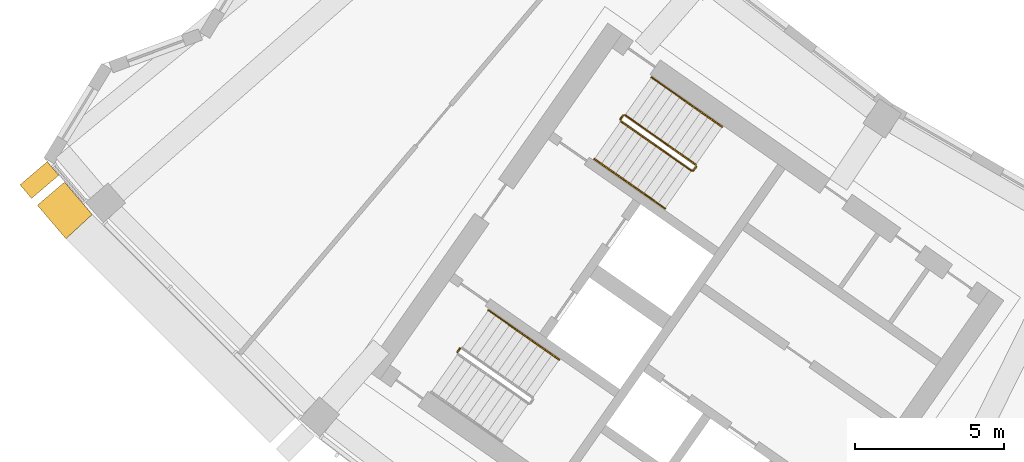
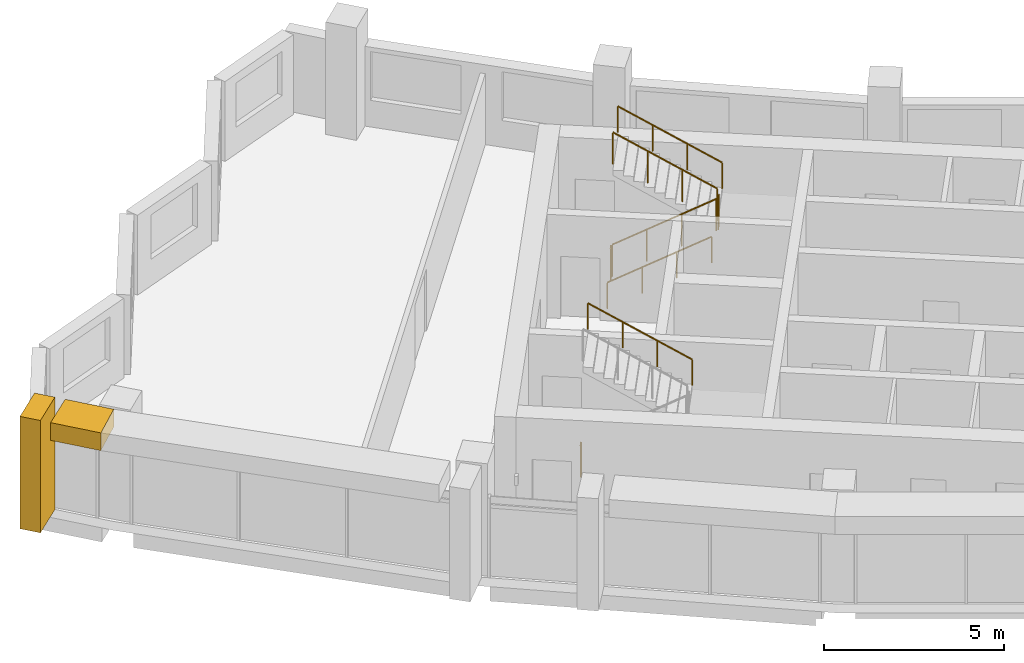
# One storey, part 24 of 28: 7 railings, 2 shading devices.
"""IFC4 building model written with IfcOpenShell, lengths in metres."""

import ifcopenshell
import ifcopenshell.guid

model = None  # the IFC model being written
_history = None  # IfcOwnerHistory: only IFC2X3 demands one
_inside = {}  # id of a spatial element -> (the spatial element, [elements in it])
_under = {}  # id of a project, library or spatial element -> (it, [spatial elements below it])
_declared = {}  # id of a project -> (the project, [libraries it declares])
_typed = {}  # id of a type object -> (the type object, [elements of that type])
_made_of = {}  # id of a material, layer set ... -> (it, [elements and type objects made of it])


def new_model(schema):
    """Start an empty IFC model of exactly this schema.

    Asked for "IFC4X3", IfcOpenShell would pick the latest addendum, in which some entities
    have other attributes; the version numbers below select the first issue.
    IFC2X3 requires an IfcOwnerHistory on every rooted entity: one is made here for all.
    """
    global model, _history
    if schema == "IFC4X3":
        model = ifcopenshell.file(schema_version=(4, 3, 0, 0))
    else:
        model = ifcopenshell.file(schema=schema)
    _inside.clear()
    _under.clear()
    _declared.clear()
    _typed.clear()
    _made_of.clear()
    _history = None
    if model.schema == "IFC2X3":
        org = make("IfcOrganization", Name="unknown")
        user = make(
            "IfcPersonAndOrganization",
            ThePerson=make("IfcPerson", FamilyName="unknown"),
            TheOrganization=org,
        )
        app = make(
            "IfcApplication",
            ApplicationDeveloper=org,
            Version="unknown",
            ApplicationFullName="unknown",
            ApplicationIdentifier="unknown",
        )
        _history = make(
            "IfcOwnerHistory",
            OwningUser=user,
            OwningApplication=app,
            ChangeAction="ADDED",
            CreationDate=0,
        )
    return model


def make(cls, **values):
    """One entity of the class cls with the attributes given. An attribute that is None is left unset."""
    return model.create_entity(
        cls, **{name: value for name, value in values.items() if value is not None}
    )


def rooted(cls, **values):
    """An entity with a GlobalId (a new one), such as an element, a storey or a relation."""
    return make(cls, GlobalId=ifcopenshell.guid.new(), OwnerHistory=_history, **values)


def si_unit(unit_type, name, prefix=None):
    """IfcSIUnit, for example si_unit("LENGTHUNIT", "METRE", prefix="MILLI")."""
    return make("IfcSIUnit", UnitType=unit_type, Prefix=prefix, Name=name)


def assignment(units):
    """IfcUnitAssignment: the units of a project."""
    return None if units is None else make("IfcUnitAssignment", Units=units)


def point(xyz):
    """IfcCartesianPoint."""
    return None if xyz is None else make("IfcCartesianPoint", Coordinates=xyz)


def direction(xyz):
    """IfcDirection."""
    return None if xyz is None else make("IfcDirection", DirectionRatios=xyz)


def frame(location, z_axis=None, x_axis=None):
    """IfcAxis2Placement3D, a coordinate frame: its origin and axes. An axis left out is left unset."""
    return make(
        "IfcAxis2Placement3D",
        Location=point(location),
        Axis=direction(z_axis),
        RefDirection=direction(x_axis),
    )


def frame_2d(location, x_axis=None):
    """IfcAxis2Placement2D, a coordinate frame in the plane: its origin and x axis."""
    return make(
        "IfcAxis2Placement2D", Location=point(location), RefDirection=direction(x_axis)
    )


def origin():
    """The frame at (0, 0, 0) with its axes left unset."""
    return frame((0.0, 0.0, 0.0))


def origin_2d():
    """The frame at (0, 0) in the plane with its x axis left unset."""
    return frame_2d((0.0, 0.0))


def place(relative_to, where):
    """IfcLocalPlacement: puts the frame where relative to a parent placement (None: the world)."""
    return make(
        "IfcLocalPlacement", PlacementRelTo=relative_to, RelativePlacement=where
    )


def context(
    kind, dimensions, precision=None, world=None, true_north=None, identifier=None
):
    """IfcGeometricRepresentationContext, for example the 3D "Model" context."""
    return make(
        "IfcGeometricRepresentationContext",
        ContextIdentifier=identifier,
        ContextType=kind,
        CoordinateSpaceDimension=dimensions,
        Precision=precision,
        WorldCoordinateSystem=world,
        TrueNorth=true_north,
    )


def subcontext(parent, identifier, kind, view, scale=None):
    """IfcGeometricRepresentationSubContext, for example "Body" below "Model"."""
    return make(
        "IfcGeometricRepresentationSubContext",
        ContextIdentifier=identifier,
        ContextType=kind,
        ParentContext=parent,
        TargetScale=scale,
        TargetView=view,
    )


def project(units=None, contexts=None):
    """IfcProject with its units and contexts."""
    return rooted(
        "IfcProject",
        Name="project",
        RepresentationContexts=contexts,
        UnitsInContext=assignment(units),
    )


def spatial(cls, under=None, at=None, **own):
    """A site, building, storey or space (cls), placed at a placement, below another one or the project."""
    s = rooted(cls, ObjectPlacement=at, **own)
    if under is not None:
        _under.setdefault(under.id(), (under, []))[1].append(s)
    return s


def polyline(points):
    """IfcPolyline through the points."""
    return make("IfcPolyline", Points=[point(p) for p in points])


def profile(cls, at=None, kind="AREA", **sizes):
    """A parametric profile (cls). Its sizes go by their IFC names, for example OverallWidth=200.0."""
    return make(cls, ProfileType=kind, Position=at, **sizes)


def circle(**sizes):
    """IfcCircleProfileDef."""
    return profile("IfcCircleProfileDef", **sizes)


def outline(outer, holes=None, kind="AREA"):
    """IfcArbitraryClosedProfileDef: a profile drawn as a closed curve; with holes, ...WithVoids."""
    if holes is None:
        return make("IfcArbitraryClosedProfileDef", ProfileType=kind, OuterCurve=outer)
    return make(
        "IfcArbitraryProfileDefWithVoids",
        ProfileType=kind,
        OuterCurve=outer,
        InnerCurves=holes,
    )


def extrude(swept, where, along, depth):
    """IfcExtrudedAreaSolid: the profile swept, set in the frame where, extruded along a direction by depth."""
    return make(
        "IfcExtrudedAreaSolid",
        SweptArea=swept,
        Position=where,
        ExtrudedDirection=direction(along),
        Depth=depth,
    )


def shape(context_of_items, identifier, shape_type, items):
    """IfcShapeRepresentation: the items that make up one representation, for example the "Body"."""
    return make(
        "IfcShapeRepresentation",
        ContextOfItems=context_of_items,
        RepresentationIdentifier=identifier,
        RepresentationType=shape_type,
        Items=items,
    )


def material(Name=None, Category=None):
    """IfcMaterial."""
    return make("IfcMaterial", Name=Name, Category=Category)


def made_of(thing, what):
    """Note that an element or type object is made of a material, layer set ...; save() writes the relation."""
    if what is not None:
        _made_of.setdefault(what.id(), (what, []))[1].append(thing)
    return thing


def type_object(cls, material=None, **own):
    """A type object (cls), such as IfcWallType, which elements share."""
    return made_of(rooted(cls, **own), material)


def element(
    cls,
    number,
    at=None,
    inside=None,
    cuts=None,
    type_object=None,
    material=None,
    context=None,
    identifier="Body",
    shape_type=None,
    held_by="IfcProductDefinitionShape",
    body=None,
    shapes=None,
    **own,
):
    """One element of the class cls, such as IfcWall. Its Tag is "e" and its number.

    at: its placement. inside: the storey or other place that contains it. cuts: it is an
    opening in that element (IfcRelVoidsElement). A single representation is given by context,
    identifier, shape_type and body (its items); several are given by shapes. held_by: the class
    of the entity that holds the representations. save() writes the other relations.
    """
    e = rooted(cls, Tag="e%d" % number, ObjectPlacement=at, **own)
    if body is not None:
        shapes = [shape(context, identifier, shape_type, body)]
    if shapes is not None:
        e.Representation = make(held_by, Representations=shapes)
    if inside is not None:
        _inside.setdefault(inside.id(), (inside, []))[1].append(e)
    if cuts is not None:
        rooted(
            "IfcRelVoidsElement", RelatingBuildingElement=cuts, RelatedOpeningElement=e
        )
    if type_object is not None:
        _typed.setdefault(type_object.id(), (type_object, []))[1].append(e)
    return made_of(e, material)


def aggregate(whole, parts):
    """IfcRelAggregates: a whole, such as a stair, and the parts it consists of."""
    return rooted("IfcRelAggregates", RelatingObject=whole, RelatedObjects=parts)


def save(model, path):
    """Write the relations noted so far, then the file.

    IfcRelAggregates (storeys below a building ...), IfcRelContainedInSpatialStructure (elements
    in a storey), IfcRelDefinesByType, IfcRelAssociatesMaterial and IfcRelDeclares: one each for
    every whole, place, type object, material and project.
    """
    for whole, parts in _under.values():
        aggregate(whole, parts)
    for where, things in _inside.values():
        rooted(
            "IfcRelContainedInSpatialStructure",
            RelatedElements=things,
            RelatingStructure=where,
        )
    for kind, things in _typed.values():
        rooted("IfcRelDefinesByType", RelatedObjects=things, RelatingType=kind)
    for what, things in _made_of.values():
        rooted("IfcRelAssociatesMaterial", RelatedObjects=things, RelatingMaterial=what)
    for by, libraries in _declared.values():
        rooted("IfcRelDeclares", RelatingContext=by, RelatedDefinitions=libraries)
    model.write(path)


model = new_model("IFC4")

# Units and contexts
model_context = context("Model", 3, precision=1e-05, world=origin(), true_north=direction((0.0, 1.0)))
body_context = subcontext(model_context, "Body", "Model", "MODEL_VIEW")
ifc_project = project(units=[si_unit("LENGTHUNIT", "METRE"), si_unit("AREAUNIT", "SQUARE_METRE"), si_unit("VOLUMEUNIT", "CUBIC_METRE"), si_unit("PLANEANGLEUNIT", "RADIAN"), si_unit("MASSUNIT", "GRAM", prefix="KILO")], contexts=[model_context])

# Site, building, storey
site_placement = place(None, origin())
site = spatial("IfcSite", under=ifc_project, at=site_placement, CompositionType="ELEMENT")
building_placement = place(site_placement, origin())
building = spatial("IfcBuilding", under=site, at=building_placement, Name="Qamariyya Broadcast Tower", CompositionType="ELEMENT")
storey_placement = place(building_placement, frame((0.0, 0.0, 277.10009765625)))
storey = spatial("IfcBuildingStorey", under=building, at=storey_placement, Name="L67", CompositionType="ELEMENT", Elevation=277.10009765625)

# Shading devices
ifc_material_1 = material(Name="Steel S355 powder coated deep red", Category="steel")
shading_device_type = type_object("IfcShadingDeviceType", Name="Deep red frame, powder coated steel box section", PredefinedType="USERDEFINED", material=ifc_material_1)
shading_device_1_placement = place(storey_placement, origin())
element("IfcShadingDevice", 1, at=shading_device_1_placement, inside=storey, type_object=shading_device_type, Name="e-frm-B5-F1-posta-L67", ObjectType="FRAME", PredefinedType="USERDEFINED", context=body_context, shape_type="SweptSolid", body=[
    extrude(outline(polyline([(-60.418212890625, -49.883544921875), (-61.33203125, -50.661376953125), (-60.943115234375, -51.1181640625), (-60.029296875, -50.340576171875), (-60.418212890625, -49.883544921875)])), origin(), (0.0, 0.0, 1.0), 3.7998046875),
])
shading_device_2_placement = place(storey_placement, frame((0.0, 0.0, 3.199951171875)))
element("IfcShadingDevice", 2, at=shading_device_2_placement, inside=storey, type_object=shading_device_type, Name="e-frm-B5-F1-top0", ObjectType="FRAME", PredefinedType="USERDEFINED", context=body_context, shape_type="SweptSolid", body=[
    extrude(outline(polyline([(-59.834716796875, -50.569091796875), (-60.748779296875, -51.3466796875), (-59.789306640625, -52.47412109375), (-58.90673828125, -51.65966796875), (-59.834716796875, -50.569091796875)])), origin(), (0.0, 0.0, 1.0), 0.599853515625),
])

# Railings
ifc_material_2 = material(Name="Painted steel", Category="steel")
railing_type_1 = type_object("IfcRailingType", Name="Stair guard", PredefinedType="GUARDRAIL", material=ifc_material_2)
railing_1_placement = place(storey_placement, frame((-41.146728515625, -48.52490234375, 0.172607421875)))
element("IfcRailing", 3, at=railing_1_placement, inside=storey, type_object=railing_type_1, Name="L67 ST-W2 stair guard 1", PredefinedType="GUARDRAIL", context=body_context, shape_type="SweptSolid", body=[
    extrude(circle(Radius=0.02392578125, at=origin_2d()), frame((0.0, 0.0, 1.076171875), z_axis=(0.703770094002, -0.492783725636, 0.511734163933), x_axis=(0.573575343427, 0.819152809562, 0.0)), (0.0, 0.0, 1.0), 3.37548828125),
    extrude(circle(Radius=0.02392578125, at=origin_2d()), frame((2.37548828125, -1.663330078125, 2.80322265625), z_axis=(0.985059694769, 0.172213233351, 0.0), x_axis=(-0.172213233351, 0.985059694769, 0.0)), (0.0, 0.0, 1.0), 0.07080078125),
    extrude(circle(Radius=0.02392578125, at=origin_2d()), frame((2.4453125, -1.651123046875, 2.80322265625), z_axis=(0.572588637393, 0.819842821722, 0.0), x_axis=(-0.819842821722, 0.572588637393, 0.0)), (0.0, 0.0, 1.0), 0.150146484375),
    extrude(circle(Radius=0.02099609375, at=origin_2d()), origin(), (0.0, 0.0, 1.0), 1.052001953125),
    extrude(circle(Radius=0.02099609375, at=origin_2d()), frame((0.791748046875, -0.554443359375, 0.57568359375)), (0.0, 0.0, 1.0), 1.052001953125),
    extrude(circle(Radius=0.02099609375, at=origin_2d()), frame((1.583740234375, -1.10888671875, 1.151611328125)), (0.0, 0.0, 1.0), 1.052001953125),
    extrude(circle(Radius=0.02099609375, at=origin_2d()), frame((2.37548828125, -1.663330078125, 1.727294921875)), (0.0, 0.0, 1.0), 1.052001953125),
    extrude(circle(Radius=0.02099609375, at=origin_2d()), frame((2.4453125, -1.651123046875, 1.727294921875)), (0.0, 0.0, 1.0), 1.052001953125),
    extrude(circle(Radius=0.02099609375, at=origin_2d()), frame((2.53125, -1.528076171875, 1.727294921875)), (0.0, 0.0, 1.0), 1.052001953125),
])
railing_2_placement = place(storey_placement, frame((-38.627685546875, -49.9833984375, 2.072509765625)))
element("IfcRailing", 4, at=railing_2_placement, inside=storey, type_object=railing_type_1, Name="L67 ST-W2 stair guard 2", PredefinedType="GUARDRAIL", context=body_context, shape_type="SweptSolid", body=[
    extrude(circle(Radius=0.02392578125, at=origin_2d()), frame((0.0, 0.0, 1.076171875), z_axis=(-0.703770094002, 0.492783725636, 0.511734163933), x_axis=(-0.573575343427, -0.819152809562, 0.0)), (0.0, 0.0, 1.0), 3.37548828125),
    extrude(circle(Radius=0.02099609375, at=origin_2d()), origin(), (0.0, 0.0, 1.0), 1.052001953125),
    extrude(circle(Radius=0.02099609375, at=origin_2d()), frame((-0.791748046875, 0.554443359375, 0.57568359375)), (0.0, 0.0, 1.0), 1.052001953125),
    extrude(circle(Radius=0.02099609375, at=origin_2d()), frame((-1.583740234375, 1.10888671875, 1.151611328125)), (0.0, 0.0, 1.0), 1.052001953125),
    extrude(circle(Radius=0.02099609375, at=origin_2d()), frame((-2.37548828125, 1.663330078125, 1.727294921875)), (0.0, 0.0, 1.0), 1.052001953125),
])
railing_3_placement = place(storey_placement, frame((-41.158935546875, -48.455322265625, 0.0)))
element("IfcRailing", 5, at=railing_3_placement, inside=storey, type_object=railing_type_1, Name="L67 ST-W2 stair guard 3", PredefinedType="GUARDRAIL", context=body_context, shape_type="SweptSolid", body=[
    extrude(circle(Radius=0.02392578125, at=origin_2d()), frame((0.0, 0.0, 1.076171875), z_axis=(0.572588637393, 0.819842821722, 0.0), x_axis=(-0.819842821722, 0.572588637393, 0.0)), (0.0, 0.0, 1.0), 0.150146484375),
    extrude(circle(Radius=0.02099609375, at=origin_2d()), origin(), (0.0, 0.0, 1.0), 1.052001953125),
    extrude(circle(Radius=0.02099609375, at=origin_2d()), frame((0.0859375, 0.123046875, 0.0)), (0.0, 0.0, 1.0), 1.052001953125),
])
railing_4_placement = place(storey_placement, frame((-46.63671875, -56.278076171875, 0.0)))
element("IfcRailing", 6, at=railing_4_placement, inside=storey, type_object=railing_type_1, Name="L67 ST-W1 stair guard 3", PredefinedType="GUARDRAIL", context=body_context, shape_type="SweptSolid", body=[
    extrude(circle(Radius=0.02392578125, at=origin_2d()), frame((0.0, 0.0, 1.076171875), z_axis=(0.574444878118, 0.818543268254, 0.0), x_axis=(-0.818543268254, 0.574444878118, 0.0)), (0.0, 0.0, 1.0), 0.150146484375),
    extrude(circle(Radius=0.02099609375, at=origin_2d()), origin(), (0.0, 0.0, 1.0), 1.052001953125),
    extrude(circle(Radius=0.02099609375, at=origin_2d()), frame((0.086181640625, 0.122802734375, 0.0)), (0.0, 0.0, 1.0), 1.052001953125),
])
ifc_material_3 = material(Name="Stainless steel", Category="steel")
railing_type_2 = type_object("IfcRailingType", Name="Stair handrail", PredefinedType="HANDRAIL", material=ifc_material_3)
railing_5_placement = place(storey_placement, frame((-42.03564453125, -49.79443359375, 0.172607421875)))
element("IfcRailing", 7, at=railing_5_placement, inside=storey, type_object=railing_type_2, Name="L67 ST-W2 stair handrail 1", PredefinedType="HANDRAIL", context=body_context, shape_type="SweptSolid", body=[
    extrude(circle(Radius=0.02392578125, at=origin_2d()), frame((0.0, 0.0, 0.8759765625), z_axis=(0.703745009021, -0.492838488332, 0.511715923826), x_axis=(0.573631830683, 0.819113253969, 0.0)), (0.0, 0.0, 1.0), 3.37548828125),
    extrude(circle(Radius=0.02099609375, at=origin_2d()), origin(), (0.0, 0.0, 1.0), 0.851806640625),
    extrude(circle(Radius=0.02099609375, at=origin_2d()), frame((0.791748046875, -0.554443359375, 0.57568359375)), (0.0, 0.0, 1.0), 0.851806640625),
    extrude(circle(Radius=0.02099609375, at=origin_2d()), frame((1.583740234375, -1.109130859375, 1.151611328125)), (0.0, 0.0, 1.0), 0.851806640625),
    extrude(circle(Radius=0.02099609375, at=origin_2d()), frame((2.37548828125, -1.66357421875, 1.727294921875)), (0.0, 0.0, 1.0), 0.851806640625),
])
railing_6_placement = place(storey_placement, frame((-37.73876953125, -48.7138671875, 2.072509765625)))
element("IfcRailing", 8, at=railing_6_placement, inside=storey, type_object=railing_type_2, Name="L67 ST-W2 stair handrail 2", PredefinedType="HANDRAIL", context=body_context, shape_type="SweptSolid", body=[
    extrude(circle(Radius=0.02392578125, at=origin_2d()), frame((0.0, 0.0, 0.8759765625), z_axis=(-0.703745009021, 0.492838488332, 0.511715923826), x_axis=(-0.573631830683, -0.819113253969, 0.0)), (0.0, 0.0, 1.0), 3.37548828125),
    extrude(circle(Radius=0.02099609375, at=origin_2d()), origin(), (0.0, 0.0, 1.0), 0.851806640625),
    extrude(circle(Radius=0.02099609375, at=origin_2d()), frame((-0.791748046875, 0.554443359375, 0.57568359375)), (0.0, 0.0, 1.0), 0.851806640625),
    extrude(circle(Radius=0.02099609375, at=origin_2d()), frame((-1.583740234375, 1.109130859375, 1.151611328125)), (0.0, 0.0, 1.0), 0.851806640625),
    extrude(circle(Radius=0.02099609375, at=origin_2d()), frame((-2.37548828125, 1.66357421875, 1.727294921875)), (0.0, 0.0, 1.0), 0.851806640625),
])
railing_7_placement = place(storey_placement, frame((-43.21630859375, -56.53662109375, 2.072509765625)))
element("IfcRailing", 9, at=railing_7_placement, inside=storey, type_object=railing_type_2, Name="L67 ST-W1 stair handrail 2", PredefinedType="HANDRAIL", context=body_context, shape_type="SweptSolid", body=[
    extrude(circle(Radius=0.02392578125, at=origin_2d()), frame((0.0, 0.0, 0.8759765625), z_axis=(-0.703770094002, 0.492783725636, 0.511734163933), x_axis=(-0.573575343427, -0.819152809562, 0.0)), (0.0, 0.0, 1.0), 3.37548828125),
    extrude(circle(Radius=0.02099609375, at=origin_2d()), origin(), (0.0, 0.0, 1.0), 0.851806640625),
    extrude(circle(Radius=0.02099609375, at=origin_2d()), frame((-0.791748046875, 0.554443359375, 0.57568359375)), (0.0, 0.0, 1.0), 0.851806640625),
    extrude(circle(Radius=0.02099609375, at=origin_2d()), frame((-1.583740234375, 1.10888671875, 1.151611328125)), (0.0, 0.0, 1.0), 0.851806640625),
    extrude(circle(Radius=0.02099609375, at=origin_2d()), frame((-2.37548828125, 1.663330078125, 1.727294921875)), (0.0, 0.0, 1.0), 0.851806640625),
])

save(model, "model.ifc")
